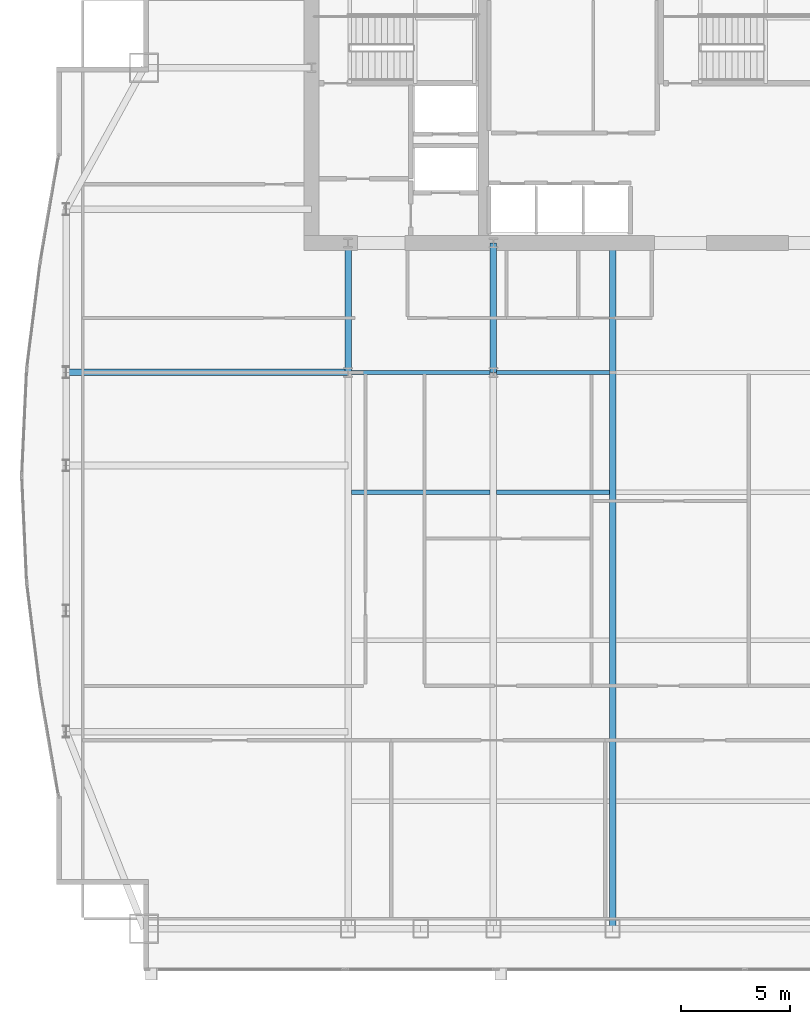
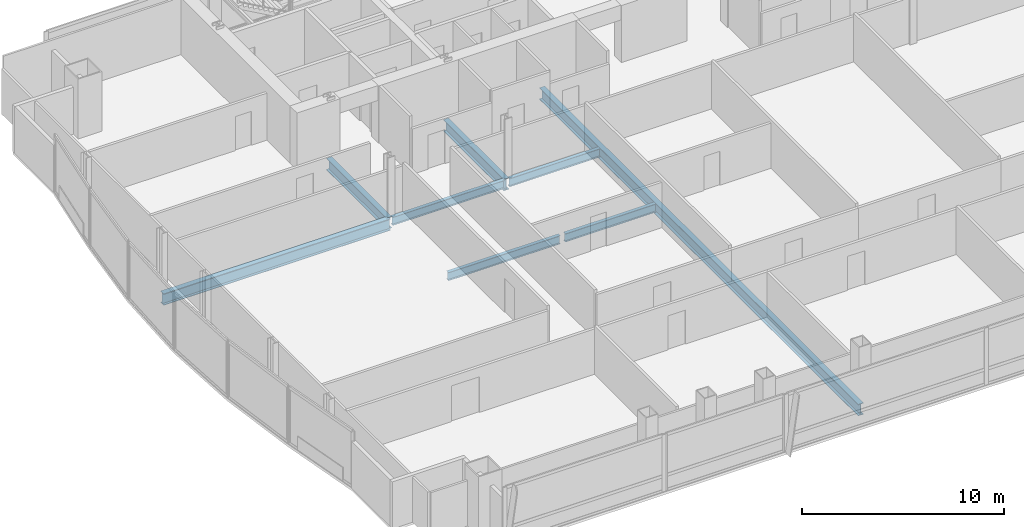
# One storey, part 12 of 29: 8 beams.
"""IFC4 building model written with IfcOpenShell, lengths in metres."""

import ifcopenshell
import ifcopenshell.guid

model = None  # the IFC model being written
_history = None  # IfcOwnerHistory: only IFC2X3 demands one
_inside = {}  # id of a spatial element -> (the spatial element, [elements in it])
_under = {}  # id of a project, library or spatial element -> (it, [spatial elements below it])
_declared = {}  # id of a project -> (the project, [libraries it declares])
_typed = {}  # id of a type object -> (the type object, [elements of that type])
_made_of = {}  # id of a material, layer set ... -> (it, [elements and type objects made of it])


def new_model(schema):
    """Start an empty IFC model of exactly this schema.

    Asked for "IFC4X3", IfcOpenShell would pick the latest addendum, in which some entities
    have other attributes; the version numbers below select the first issue.
    IFC2X3 requires an IfcOwnerHistory on every rooted entity: one is made here for all.
    """
    global model, _history
    if schema == "IFC4X3":
        model = ifcopenshell.file(schema_version=(4, 3, 0, 0))
    else:
        model = ifcopenshell.file(schema=schema)
    _inside.clear()
    _under.clear()
    _declared.clear()
    _typed.clear()
    _made_of.clear()
    _history = None
    if model.schema == "IFC2X3":
        org = make("IfcOrganization", Name="unknown")
        user = make(
            "IfcPersonAndOrganization",
            ThePerson=make("IfcPerson", FamilyName="unknown"),
            TheOrganization=org,
        )
        app = make(
            "IfcApplication",
            ApplicationDeveloper=org,
            Version="unknown",
            ApplicationFullName="unknown",
            ApplicationIdentifier="unknown",
        )
        _history = make(
            "IfcOwnerHistory",
            OwningUser=user,
            OwningApplication=app,
            ChangeAction="ADDED",
            CreationDate=0,
        )
    return model


def make(cls, **values):
    """One entity of the class cls with the attributes given. An attribute that is None is left unset."""
    return model.create_entity(
        cls, **{name: value for name, value in values.items() if value is not None}
    )


def rooted(cls, **values):
    """An entity with a GlobalId (a new one), such as an element, a storey or a relation."""
    return make(cls, GlobalId=ifcopenshell.guid.new(), OwnerHistory=_history, **values)


def si_unit(unit_type, name, prefix=None):
    """IfcSIUnit, for example si_unit("LENGTHUNIT", "METRE", prefix="MILLI")."""
    return make("IfcSIUnit", UnitType=unit_type, Prefix=prefix, Name=name)


def assignment(units):
    """IfcUnitAssignment: the units of a project."""
    return None if units is None else make("IfcUnitAssignment", Units=units)


def point(xyz):
    """IfcCartesianPoint."""
    return None if xyz is None else make("IfcCartesianPoint", Coordinates=xyz)


def direction(xyz):
    """IfcDirection."""
    return None if xyz is None else make("IfcDirection", DirectionRatios=xyz)


def frame(location, z_axis=None, x_axis=None):
    """IfcAxis2Placement3D, a coordinate frame: its origin and axes. An axis left out is left unset."""
    return make(
        "IfcAxis2Placement3D",
        Location=point(location),
        Axis=direction(z_axis),
        RefDirection=direction(x_axis),
    )


def frame_2d(location, x_axis=None):
    """IfcAxis2Placement2D, a coordinate frame in the plane: its origin and x axis."""
    return make(
        "IfcAxis2Placement2D", Location=point(location), RefDirection=direction(x_axis)
    )


def origin():
    """The frame at (0, 0, 0) with its axes left unset."""
    return frame((0.0, 0.0, 0.0))


def origin_2d():
    """The frame at (0, 0) in the plane with its x axis left unset."""
    return frame_2d((0.0, 0.0))


def place(relative_to, where):
    """IfcLocalPlacement: puts the frame where relative to a parent placement (None: the world)."""
    return make(
        "IfcLocalPlacement", PlacementRelTo=relative_to, RelativePlacement=where
    )


def context(
    kind, dimensions, precision=None, world=None, true_north=None, identifier=None
):
    """IfcGeometricRepresentationContext, for example the 3D "Model" context."""
    return make(
        "IfcGeometricRepresentationContext",
        ContextIdentifier=identifier,
        ContextType=kind,
        CoordinateSpaceDimension=dimensions,
        Precision=precision,
        WorldCoordinateSystem=world,
        TrueNorth=true_north,
    )


def subcontext(parent, identifier, kind, view, scale=None):
    """IfcGeometricRepresentationSubContext, for example "Body" below "Model"."""
    return make(
        "IfcGeometricRepresentationSubContext",
        ContextIdentifier=identifier,
        ContextType=kind,
        ParentContext=parent,
        TargetScale=scale,
        TargetView=view,
    )


def project(units=None, contexts=None):
    """IfcProject with its units and contexts."""
    return rooted(
        "IfcProject",
        Name="project",
        RepresentationContexts=contexts,
        UnitsInContext=assignment(units),
    )


def spatial(cls, under=None, at=None, **own):
    """A site, building, storey or space (cls), placed at a placement, below another one or the project."""
    s = rooted(cls, ObjectPlacement=at, **own)
    if under is not None:
        _under.setdefault(under.id(), (under, []))[1].append(s)
    return s


def profile(cls, at=None, kind="AREA", **sizes):
    """A parametric profile (cls). Its sizes go by their IFC names, for example OverallWidth=200.0."""
    return make(cls, ProfileType=kind, Position=at, **sizes)


def i_section(**sizes):
    """IfcIShapeProfileDef."""
    return profile("IfcIShapeProfileDef", **sizes)


def extrude(swept, where, along, depth):
    """IfcExtrudedAreaSolid: the profile swept, set in the frame where, extruded along a direction by depth."""
    return make(
        "IfcExtrudedAreaSolid",
        SweptArea=swept,
        Position=where,
        ExtrudedDirection=direction(along),
        Depth=depth,
    )


def shape(context_of_items, identifier, shape_type, items):
    """IfcShapeRepresentation: the items that make up one representation, for example the "Body"."""
    return make(
        "IfcShapeRepresentation",
        ContextOfItems=context_of_items,
        RepresentationIdentifier=identifier,
        RepresentationType=shape_type,
        Items=items,
    )


def material(Name=None, Category=None):
    """IfcMaterial."""
    return make("IfcMaterial", Name=Name, Category=Category)


def material_profile(
    of_material, cross_section, Name=None, Category=None, Priority=None
):
    """IfcMaterialProfile: a cross section and its material."""
    return make(
        "IfcMaterialProfile",
        Name=Name,
        Material=of_material,
        Profile=cross_section,
        Priority=Priority,
        Category=Category,
    )


def profile_set(profiles, Name=None, composite=None):
    """IfcMaterialProfileSet."""
    return make(
        "IfcMaterialProfileSet",
        Name=Name,
        MaterialProfiles=profiles,
        CompositeProfile=composite,
    )


def made_of(thing, what):
    """Note that an element or type object is made of a material, layer set ...; save() writes the relation."""
    if what is not None:
        _made_of.setdefault(what.id(), (what, []))[1].append(thing)
    return thing


def type_object(cls, material=None, **own):
    """A type object (cls), such as IfcWallType, which elements share."""
    return made_of(rooted(cls, **own), material)


def element(
    cls,
    number,
    at=None,
    inside=None,
    cuts=None,
    type_object=None,
    material=None,
    context=None,
    identifier="Body",
    shape_type=None,
    held_by="IfcProductDefinitionShape",
    body=None,
    shapes=None,
    **own,
):
    """One element of the class cls, such as IfcWall. Its Tag is "e" and its number.

    at: its placement. inside: the storey or other place that contains it. cuts: it is an
    opening in that element (IfcRelVoidsElement). A single representation is given by context,
    identifier, shape_type and body (its items); several are given by shapes. held_by: the class
    of the entity that holds the representations. save() writes the other relations.
    """
    e = rooted(cls, Tag="e%d" % number, ObjectPlacement=at, **own)
    if body is not None:
        shapes = [shape(context, identifier, shape_type, body)]
    if shapes is not None:
        e.Representation = make(held_by, Representations=shapes)
    if inside is not None:
        _inside.setdefault(inside.id(), (inside, []))[1].append(e)
    if cuts is not None:
        rooted(
            "IfcRelVoidsElement", RelatingBuildingElement=cuts, RelatedOpeningElement=e
        )
    if type_object is not None:
        _typed.setdefault(type_object.id(), (type_object, []))[1].append(e)
    return made_of(e, material)


def aggregate(whole, parts):
    """IfcRelAggregates: a whole, such as a stair, and the parts it consists of."""
    return rooted("IfcRelAggregates", RelatingObject=whole, RelatedObjects=parts)


def save(model, path):
    """Write the relations noted so far, then the file.

    IfcRelAggregates (storeys below a building ...), IfcRelContainedInSpatialStructure (elements
    in a storey), IfcRelDefinesByType, IfcRelAssociatesMaterial and IfcRelDeclares: one each for
    every whole, place, type object, material and project.
    """
    for whole, parts in _under.values():
        aggregate(whole, parts)
    for where, things in _inside.values():
        rooted(
            "IfcRelContainedInSpatialStructure",
            RelatedElements=things,
            RelatingStructure=where,
        )
    for kind, things in _typed.values():
        rooted("IfcRelDefinesByType", RelatedObjects=things, RelatingType=kind)
    for what, things in _made_of.values():
        rooted("IfcRelAssociatesMaterial", RelatedObjects=things, RelatingMaterial=what)
    for by, libraries in _declared.values():
        rooted("IfcRelDeclares", RelatingContext=by, RelatedDefinitions=libraries)
    model.write(path)


model = new_model("IFC4")

# Units and contexts
model_context = context("Model", 3, precision=1e-05, world=origin(), true_north=direction((0.0, 1.0)))
body_context = subcontext(model_context, "Body", "Model", "MODEL_VIEW")
ifc_project = project(units=[si_unit("LENGTHUNIT", "METRE"), si_unit("AREAUNIT", "SQUARE_METRE"), si_unit("VOLUMEUNIT", "CUBIC_METRE"), si_unit("PLANEANGLEUNIT", "RADIAN"), si_unit("MASSUNIT", "GRAM", prefix="KILO")], contexts=[model_context])

# Site, building, storey
site_placement = place(None, origin())
site = spatial("IfcSite", under=ifc_project, at=site_placement, CompositionType="ELEMENT")
building_placement = place(site_placement, origin())
building = spatial("IfcBuilding", under=site, at=building_placement, Name="Khoronbel Lancet Exchange", CompositionType="ELEMENT")
storey_placement = place(building_placement, frame((0.0, 0.0, 150.60009765625)))
storey = spatial("IfcBuildingStorey", under=building, at=storey_placement, Name="L37", CompositionType="ELEMENT", Elevation=150.60009765625)

# Beams
ifc_material = material(Name="Steel S355", Category="steel")
ifc_material_profile_1 = material_profile(ifc_material, i_section(OverallWidth=0.300048828125, OverallDepth=0.699951171875, WebThickness=0.01708984375, FlangeThickness=0.031982421875, at=origin_2d()), Name="HEB 700")
ifc_profile_set_1 = profile_set([ifc_material_profile_1], Name="Steel S355")
beam_type_1 = type_object("IfcBeamType", Name="BM-BG3", PredefinedType="BEAM", material=ifc_profile_set_1)
for number, where, z_axis, x_axis, name in (
    (1, (18.22509765625, 35.699951171875, -0.510009765625), (0.0, 1.0, 0.0), (-1.0, 0.0, 0.0), "Level L37 spine tie girder GN1"),
    (2, (24.89990234375, 35.699951171875, -0.510009765625), (0.0, 1.0, 0.0), (-1.0, 0.0, 0.0), "Level L37 spine tie girder GN2"),
):
    element("IfcBeam", number, at=place(storey_placement, frame(where, z_axis=z_axis, x_axis=x_axis)), inside=storey, type_object=beam_type_1, Name=name, PredefinedType="BEAM", context=body_context, shape_type="SweptSolid", body=[
        extrude(i_section(OverallWidth=0.300048828125, OverallDepth=0.699951171875, WebThickness=0.01708984375, FlangeThickness=0.031982421875, at=origin_2d()), origin(), (0.0, 0.0, 1.0), 5.949951171875),
    ])
beam_1_placement = place(storey_placement, frame((30.375, 10.14990234375, -0.510009765625), z_axis=(0.0, 1.0, 0.0), x_axis=(-1.0, 0.0, 0.0)))
element("IfcBeam", 3, at=beam_1_placement, inside=storey, type_object=beam_type_1, Name="Level L37 primary floor girder G3", PredefinedType="BEAM", context=body_context, shape_type="SweptSolid", body=[
    extrude(i_section(OverallWidth=0.300048828125, OverallDepth=0.699951171875, WebThickness=0.01708984375, FlangeThickness=0.031982421875, at=origin_2d()), origin(), (0.0, 0.0, 1.0), 31.5),
])
beam_2_placement = place(storey_placement, frame((5.27001953125, 35.699951171875, -0.510009765625), z_axis=(1.0, 0.0, 0.0), x_axis=(0.0, 1.0, 0.0)))
element("IfcBeam", 4, at=beam_2_placement, inside=storey, type_object=beam_type_1, Name="Level L37 west lens tie girder LG4W", PredefinedType="BEAM", context=body_context, shape_type="SweptSolid", body=[
    extrude(i_section(OverallWidth=0.300048828125, OverallDepth=0.699951171875, WebThickness=0.01708984375, FlangeThickness=0.031982421875, at=origin_2d()), origin(), (0.0, 0.0, 1.0), 12.955078125),
])
ifc_material_profile_2 = material_profile(ifc_material, i_section(OverallWidth=0.199951171875, OverallDepth=0.5, WebThickness=0.01025390625, FlangeThickness=0.01611328125, at=origin_2d()), Name="IPE 500")
ifc_profile_set_2 = profile_set([ifc_material_profile_2], Name="Steel S355")
beam_type_2 = type_object("IfcBeamType", Name="BM-BJ3", PredefinedType="JOIST", material=ifc_profile_set_2)
beam_3_placement = place(storey_placement, frame((18.375, 30.199951171875, -0.41015625), z_axis=(1.0, 0.0, 0.0), x_axis=(0.0, 1.0, 0.0)))
element("IfcBeam", 5, at=beam_3_placement, inside=storey, type_object=beam_type_2, Name="Level L37 secondary composite joist J11", PredefinedType="JOIST", context=body_context, shape_type="SweptSolid", body=[
    extrude(i_section(OverallWidth=0.199951171875, OverallDepth=0.5, WebThickness=0.01025390625, FlangeThickness=0.01611328125, at=origin_2d()), origin(), (0.0, 0.0, 1.0), 6.375),
])
beam_4_placement = place(storey_placement, frame((25.050048828125, 30.199951171875, -0.41015625), z_axis=(1.0, 0.0, 0.0), x_axis=(0.0, 1.0, 0.0)))
element("IfcBeam", 6, at=beam_4_placement, inside=storey, type_object=beam_type_2, Name="Level L37 secondary composite joist J12", PredefinedType="JOIST", context=body_context, shape_type="SweptSolid", body=[
    extrude(i_section(OverallWidth=0.199951171875, OverallDepth=0.5, WebThickness=0.01025390625, FlangeThickness=0.01611328125, at=origin_2d()), origin(), (0.0, 0.0, 1.0), 5.175048828125),
])
beam_5_placement = place(storey_placement, frame((18.375, 35.699951171875, -0.41015625), z_axis=(1.0, 0.0, 0.0), x_axis=(0.0, 1.0, 0.0)))
element("IfcBeam", 7, at=beam_5_placement, inside=storey, type_object=beam_type_2, Name="Level L37 secondary composite joist J16", PredefinedType="JOIST", context=body_context, shape_type="SweptSolid", body=[
    extrude(i_section(OverallWidth=0.199951171875, OverallDepth=0.5, WebThickness=0.01025390625, FlangeThickness=0.01611328125, at=origin_2d()), origin(), (0.0, 0.0, 1.0), 6.375),
])
beam_6_placement = place(storey_placement, frame((25.050048828125, 35.699951171875, -0.41015625), z_axis=(1.0, 0.0, 0.0), x_axis=(0.0, 1.0, 0.0)))
element("IfcBeam", 8, at=beam_6_placement, inside=storey, type_object=beam_type_2, Name="Level L37 secondary composite joist J17", PredefinedType="JOIST", context=body_context, shape_type="SweptSolid", body=[
    extrude(i_section(OverallWidth=0.199951171875, OverallDepth=0.5, WebThickness=0.01025390625, FlangeThickness=0.01611328125, at=origin_2d()), origin(), (0.0, 0.0, 1.0), 5.175048828125),
])

save(model, "model.ifc")
